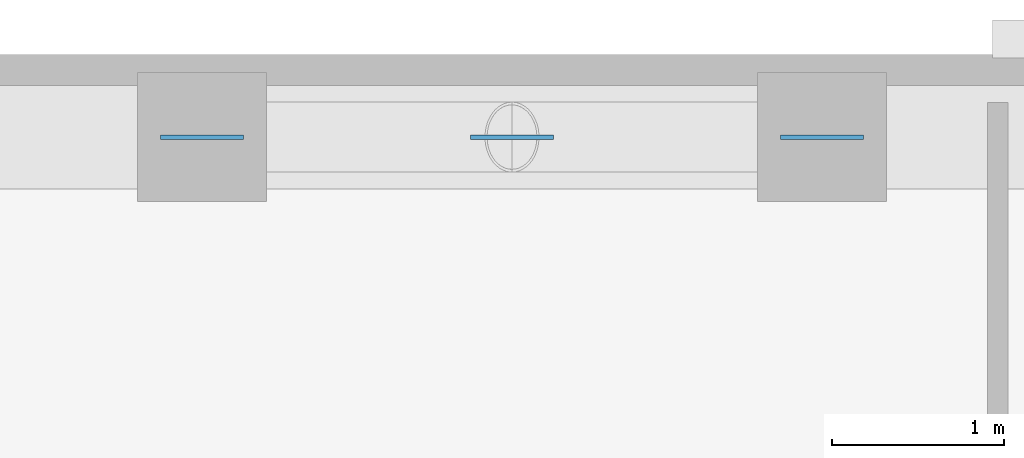
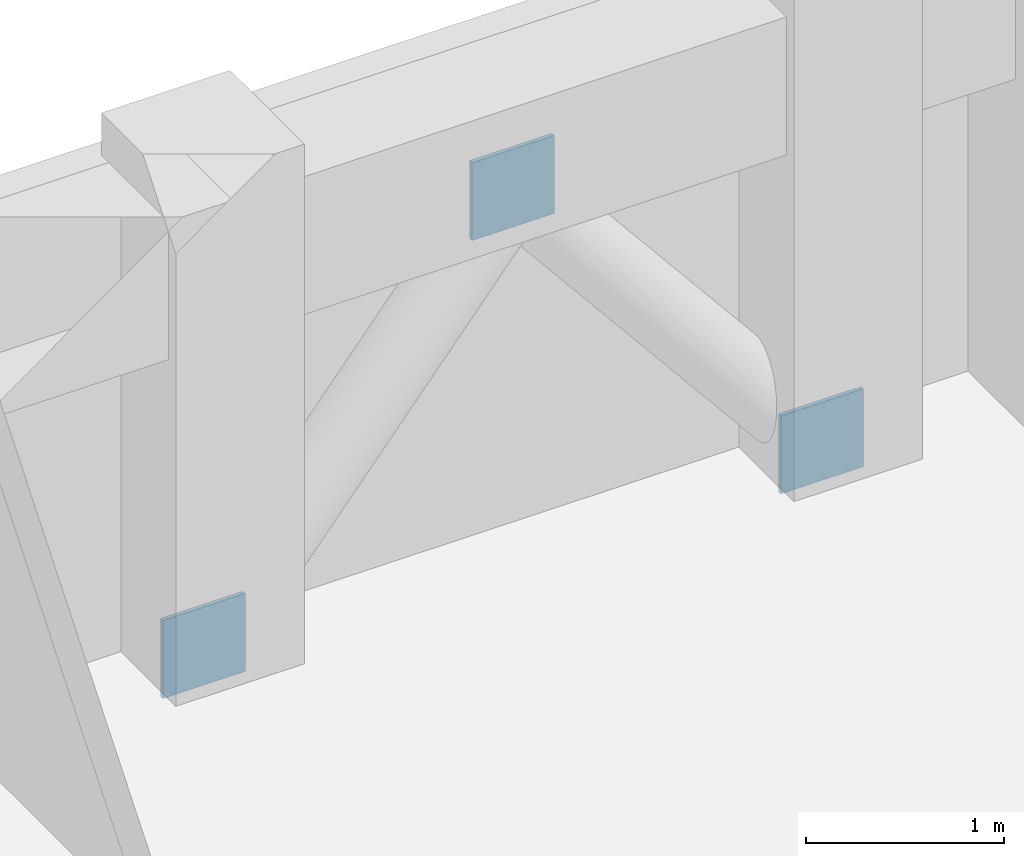
# One storey, part 10 of 12: 3 discrete accessories.
"""IFC4 building model written with IfcOpenShell, lengths in metres."""

from ifc_helpers import new_model, si_unit, derived_unit, direction, frame, origin, origin_2d, place, context, subcontext, project, spatial, rectangle, extrude, material, layer, layer_set, type_object, element, save


model = new_model("IFC4")

# Units and contexts
model_context = context("Model", 3, precision=1e-05, world=origin(), true_north=direction((0.0, 1.0)))
body_context = subcontext(model_context, "Body", "Model", "MODEL_VIEW")
ifc_project = project(units=[si_unit("LENGTHUNIT", "METRE"), si_unit("AREAUNIT", "SQUARE_METRE"), si_unit("VOLUMEUNIT", "CUBIC_METRE"), si_unit("PLANEANGLEUNIT", "RADIAN"), si_unit("MASSUNIT", "GRAM", prefix="KILO"), derived_unit("THERMALTRANSMITTANCEUNIT", [(si_unit("MASSUNIT", "GRAM", prefix="KILO"), 1), (si_unit("TIMEUNIT", "SECOND"), -3), (si_unit("THERMODYNAMICTEMPERATUREUNIT", "KELVIN"), -1)])], contexts=[model_context])

# Site, building, storey
site_placement = place(None, origin())
site = spatial("IfcSite", under=ifc_project, at=site_placement, CompositionType="ELEMENT")
building_placement = place(site_placement, origin())
building = spatial("IfcBuilding", under=site, at=building_placement, Name="Korrvale Station Residences", CompositionType="ELEMENT")
storey_placement = place(building_placement, frame((0.0, 0.0, 113.5)))
storey = spatial("IfcBuildingStorey", under=building, at=storey_placement, Name="L32", CompositionType="ELEMENT", Elevation=113.5)

# Discrete accessories
ifc_material = material(Name="Steel S355", Category="steel")
ifc_layer = layer(ifc_material, 0.02490234375, Name="Steel S355")
ifc_layer_set = layer_set([ifc_layer], Name="Steel S355")
discrete_accessory_type = type_object("IfcDiscreteAccessoryType", Name="ACC-GUSSET-25", PredefinedType="BRACKET", material=ifc_layer_set)
for number, where, z_axis, x_axis, name in (
    (1, (23.199951171875, 42.820068359375, -0.219970703125), (0.0, 0.0, 1.0), (1.0, 0.0, 0.0), "L32 N Brace End Gusset Connection A"),
    (2, (26.800048828125, 42.820068359375, -0.219970703125), (0.0, 0.0, 1.0), (1.0, 0.0, 0.0), "L32 N Brace End Gusset Connection B"),
    (3, (25.0, 42.820068359375, 1.969970703125), (0.0, 0.0, 1.0), (1.0, 0.0, 0.0), "L32 N Brace End Gusset Connection M"),
):
    element("IfcDiscreteAccessory", number, at=place(storey_placement, frame(where, z_axis=z_axis, x_axis=x_axis)), inside=storey, type_object=discrete_accessory_type, Name=name, PredefinedType="BRACKET", context=body_context, shape_type="SweptSolid", body=[
        extrude(rectangle(XDim=0.47998046875, YDim=0.02490234375, at=origin_2d()), origin(), (0.0, 0.0, 1.0), 0.47998046875),
    ])

save(model, "model.ifc")
